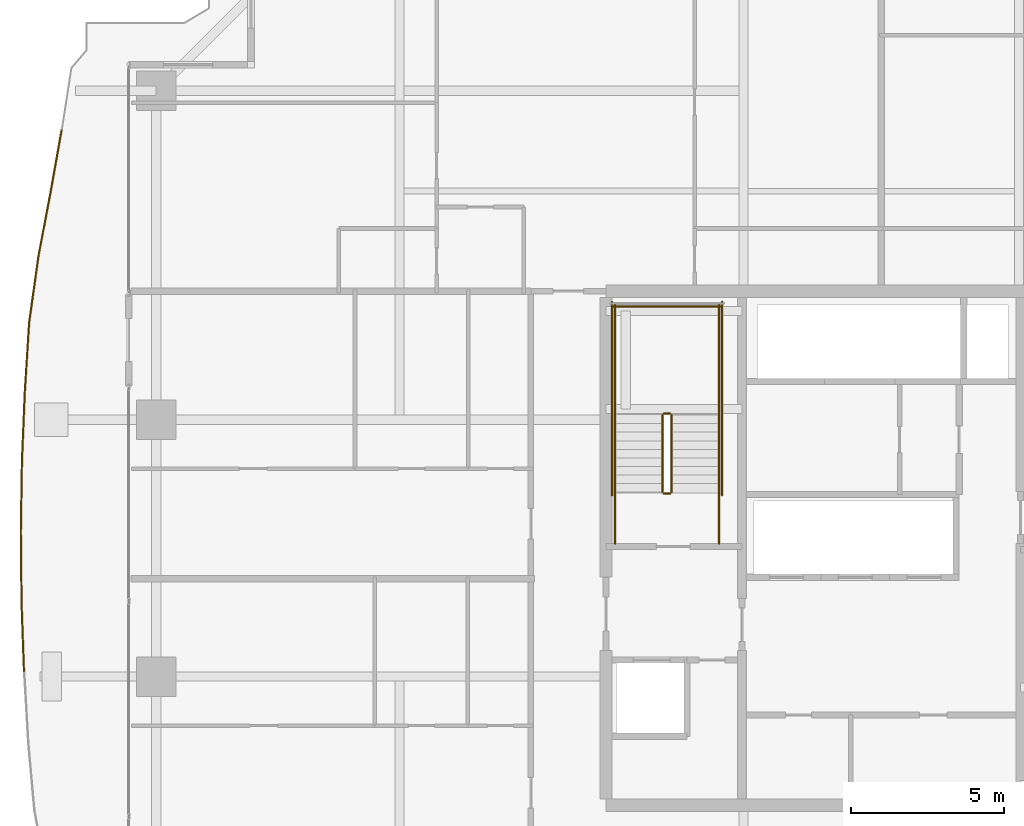
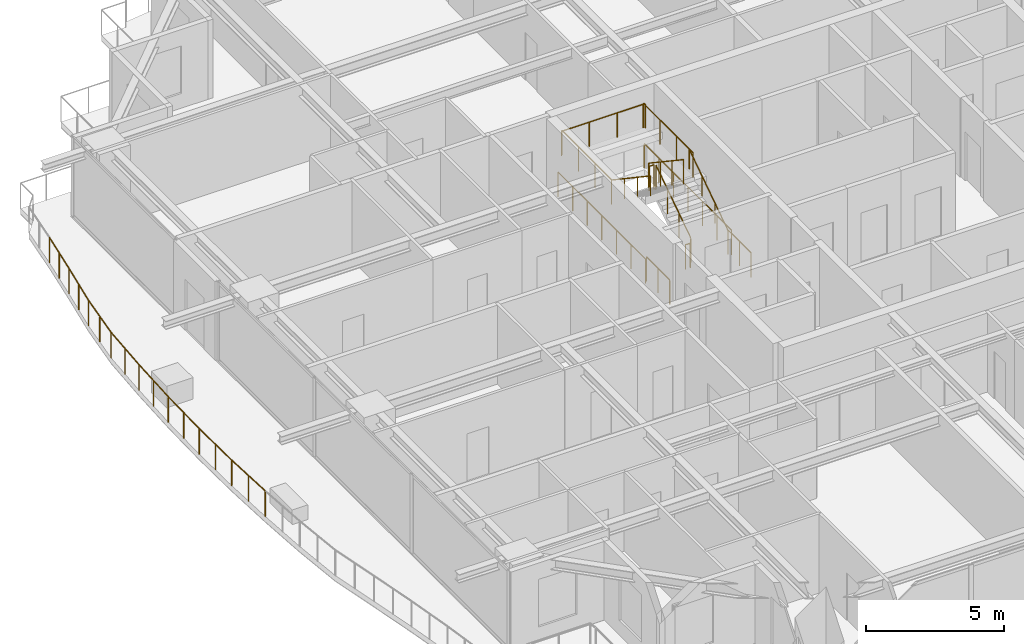
# One storey, part 35 of 39: 14 railings.
"""IFC4 building model written with IfcOpenShell, lengths in metres."""

from ifc_helpers import new_model, si_unit, direction, frame, origin, origin_2d, place, context, subcontext, project, spatial, circle, extrude, material, type_object, element, save


model = new_model("IFC4")

# Units and contexts
model_context = context("Model", 3, precision=1e-05, world=origin(), true_north=direction((0.0, 1.0)))
body_context = subcontext(model_context, "Body", "Model", "MODEL_VIEW")
ifc_project = project(units=[si_unit("LENGTHUNIT", "METRE"), si_unit("AREAUNIT", "SQUARE_METRE"), si_unit("VOLUMEUNIT", "CUBIC_METRE"), si_unit("PLANEANGLEUNIT", "RADIAN"), si_unit("MASSUNIT", "GRAM", prefix="KILO")], contexts=[model_context])

# Site, building, storey
site_placement = place(None, origin())
site = spatial("IfcSite", under=ifc_project, at=site_placement, CompositionType="ELEMENT")
building_placement = place(site_placement, origin())
building = spatial("IfcBuilding", under=site, at=building_placement, Name="Serunith Strait Residences", CompositionType="ELEMENT")
storey_placement = place(building_placement, frame((0.0, 0.0, 123.89990234375)))
storey = spatial("IfcBuildingStorey", under=building, at=storey_placement, Name="L30", CompositionType="ELEMENT", Elevation=123.89990234375)

# Railings
ifc_material_1 = material(Name="Stainless Steel & Laminated Glass Balustrade", Category="steel")
railing_type_1 = type_object("IfcRailingType", Name="RLG-BALC-1150", PredefinedType="BALUSTRADE", material=ifc_material_1)
railing_1_placement = place(storey_placement, frame((4.376708984375, 21.136962890625, -0.0498046875)))
element("IfcRailing", 1, at=railing_1_placement, inside=storey, type_object=railing_type_1, Name="L30 Swirling Balcony Perimeter Balustrade 2", PredefinedType="BALUSTRADE", context=body_context, shape_type="SweptSolid", body=[
    extrude(circle(Radius=0.02392578125, at=origin_2d()), frame((0.0, 0.001953125, 1.1259765625), z_axis=(-0.035444749736, 0.999371637438, 0.0), x_axis=(-0.999371637438, -0.035444749736, 0.0)), (0.0, 0.0, 1.0), 2.289794921875),
    extrude(circle(Radius=0.02392578125, at=origin_2d()), frame((-0.081298828125, 2.294189453125, 1.1259765625), z_axis=(-0.010064115772, 0.999949355504, 0.0), x_axis=(-0.999949355504, -0.010064115772, 0.0)), (0.0, 0.0, 1.0), 2.300537109375),
    extrude(circle(Radius=0.02392578125, at=origin_2d()), frame((-0.1044921875, 4.5986328125, 1.1259765625), z_axis=(0.016012370438, 0.999871793778, 0.0), x_axis=(-0.999871793778, 0.016012370438, 0.0)), (0.0, 0.0, 1.0), 2.29833984375),
    extrude(circle(Radius=0.02392578125, at=origin_2d()), frame((-0.067626953125, 6.900634765625, 1.1259765625), z_axis=(0.041088962232, 0.999155491994, 0.0), x_axis=(-0.999155491994, 0.041088962232, 0.0)), (0.0, 0.0, 1.0), 2.28369140625),
    extrude(circle(Radius=0.02392578125, at=origin_2d()), frame((0.026611328125, 9.186279296875, 1.1259765625), z_axis=(0.062593283777, 0.998039117884, 0.0), x_axis=(-0.998039117884, 0.062593283777, 0.0)), (0.0, 0.0, 1.0), 2.25830078125),
    extrude(circle(Radius=0.02392578125, at=origin_2d()), frame((0.168212890625, 11.444091796875, 1.1259765625), z_axis=(0.139135733302, 0.990273319704, 0.0), x_axis=(-0.990273319704, 0.139135733302, 0.0)), (0.0, 0.0, 1.0), 2.194580078125),
    extrude(circle(Radius=0.02392578125, at=origin_2d()), frame((0.474365234375, 13.621337890625, 1.1259765625), z_axis=(0.186035495468, 0.982543024211, 0.0), x_axis=(-0.982543024211, 0.186035495468, 0.0)), (0.0, 0.0, 1.0), 2.1220703125),
    extrude(circle(Radius=0.02392578125, at=origin_2d()), frame((0.86962890625, 15.710205078125, 1.1259765625), z_axis=(0.174779622771, 0.984607578411, 0.0), x_axis=(-0.984607578411, 0.174779622771, 0.0)), (0.0, 0.0, 1.0), 2.06884765625),
    extrude(circle(Radius=0.02099609375, at=origin_2d()), origin(), (0.0, 0.0, 1.0), 1.099853515625),
    extrude(circle(Radius=0.02099609375, at=origin_2d()), frame((-0.04052734375, 1.14599609375, 0.0)), (0.0, 0.0, 1.0), 1.099853515625),
    extrude(circle(Radius=0.02099609375, at=origin_2d()), frame((-0.081298828125, 2.292236328125, 0.0)), (0.0, 0.0, 1.0), 1.099853515625),
    extrude(circle(Radius=0.02099609375, at=origin_2d()), frame((-0.0927734375, 3.4443359375, 0.0)), (0.0, 0.0, 1.0), 1.099853515625),
    extrude(circle(Radius=0.02099609375, at=origin_2d()), frame((-0.1044921875, 4.5966796875, 0.0)), (0.0, 0.0, 1.0), 1.099853515625),
    extrude(circle(Radius=0.02099609375, at=origin_2d()), frame((-0.0859375, 5.74755859375, 0.0)), (0.0, 0.0, 1.0), 1.099853515625),
    extrude(circle(Radius=0.02099609375, at=origin_2d()), frame((-0.067626953125, 6.898681640625, 0.0)), (0.0, 0.0, 1.0), 1.099853515625),
    extrude(circle(Radius=0.02099609375, at=origin_2d()), frame((-0.0205078125, 8.04150390625, 0.0)), (0.0, 0.0, 1.0), 1.099853515625),
    extrude(circle(Radius=0.02099609375, at=origin_2d()), frame((0.0263671875, 9.184326171875, 0.0)), (0.0, 0.0, 1.0), 1.099853515625),
    extrude(circle(Radius=0.02099609375, at=origin_2d()), frame((0.09716796875, 10.313232421875, 0.0)), (0.0, 0.0, 1.0), 1.099853515625),
    extrude(circle(Radius=0.02099609375, at=origin_2d()), frame((0.16796875, 11.442138671875, 0.0)), (0.0, 0.0, 1.0), 1.099853515625),
    extrude(circle(Radius=0.02099609375, at=origin_2d()), frame((0.32080078125, 12.53076171875, 0.0)), (0.0, 0.0, 1.0), 1.099853515625),
    extrude(circle(Radius=0.02099609375, at=origin_2d()), frame((0.473876953125, 13.619384765625, 0.0)), (0.0, 0.0, 1.0), 1.099853515625),
    extrude(circle(Radius=0.02099609375, at=origin_2d()), frame((0.671630859375, 14.663818359375, 0.0)), (0.0, 0.0, 1.0), 1.099853515625),
    extrude(circle(Radius=0.02099609375, at=origin_2d()), frame((0.869384765625, 15.708251953125, 0.0)), (0.0, 0.0, 1.0), 1.099853515625),
    extrude(circle(Radius=0.02099609375, at=origin_2d()), frame((1.050537109375, 16.728759765625, 0.0)), (0.0, 0.0, 1.0), 1.099853515625),
    extrude(circle(Radius=0.02099609375, at=origin_2d()), frame((1.231689453125, 17.749267578125, 0.0)), (0.0, 0.0, 1.0), 1.099853515625),
])
ifc_material_2 = material(Name="Brushed stainless steel 316L", Category="steel")
railing_type_2 = type_object("IfcRailingType", Name="RLG-STAIR-GUARD", PredefinedType="BALUSTRADE", material=ifc_material_2)
railing_2_placement = place(storey_placement, frame((25.550048828125, 27.030029296875, 0.1875)))
element("IfcRailing", 2, at=railing_2_placement, inside=storey, type_object=railing_type_2, Name="L30 ST-1 stair guard 1", PredefinedType="BALUSTRADE", context=body_context, shape_type="SweptSolid", body=[
    extrude(circle(Radius=0.02392578125, at=origin_2d()), frame((0.0, 0.001708984375, 1.0771484375), z_axis=(0.0, 0.830909170722, 0.55640807867), x_axis=(-1.0, 0.0, 0.0)), (0.0, 0.0, 1.0), 3.02880859375),
    extrude(circle(Radius=0.02099609375, at=origin_2d()), origin(), (0.0, 0.0, 1.0), 1.050048828125),
    extrude(circle(Radius=0.02099609375, at=origin_2d()), frame((0.0, 0.840087890625, 0.5625)), (0.0, 0.0, 1.0), 1.050048828125),
    extrude(circle(Radius=0.02099609375, at=origin_2d()), frame((0.0, 1.679931640625, 1.125)), (0.0, 0.0, 1.0), 1.050048828125),
    extrude(circle(Radius=0.02099609375, at=origin_2d()), frame((0.0, 2.52001953125, 1.6875)), (0.0, 0.0, 1.0), 1.050048828125),
])
railing_3_placement = place(storey_placement, frame((25.5, 29.60009765625, 1.875)))
element("IfcRailing", 3, at=railing_3_placement, inside=storey, type_object=railing_type_2, Name="L30 ST-1 stair guard 2", PredefinedType="BALUSTRADE", context=body_context, shape_type="SweptSolid", body=[
    extrude(circle(Radius=0.02392578125, at=origin_2d()), frame((-0.001953125, 0.0, 1.076171875), z_axis=(-1.0, 0.0, 0.0), x_axis=(0.0, -1.0, 0.0)), (0.0, 0.0, 1.0), 0.196044921875),
    extrude(circle(Radius=0.02099609375, at=origin_2d()), origin(), (0.0, 0.0, 1.0), 1.050048828125),
    extrude(circle(Radius=0.02099609375, at=origin_2d()), frame((-0.199951171875, 0.0, 0.0)), (0.0, 0.0, 1.0), 1.050048828125),
])
for number, where, name in (
    (4, (27.10009765625, 29.550048828125, 1.875), "L30 ST-1 stair guard 3"),
    (5, (23.699951171875, 29.550048828125, 1.875), "L30 ST-1 stair guard 4"),
):
    element("IfcRailing", number, at=place(storey_placement, frame(where)), inside=storey, type_object=railing_type_2, Name=name, PredefinedType="BALUSTRADE", context=body_context, shape_type="SweptSolid", body=[
        extrude(circle(Radius=0.02392578125, at=origin_2d()), frame((0.0, 0.001953125, 1.076171875), z_axis=(0.0, 1.0, 0.0), x_axis=(-1.0, 0.0, 0.0)), (0.0, 0.0, 1.0), 3.595947265625),
        extrude(circle(Radius=0.02099609375, at=origin_2d()), origin(), (0.0, 0.0, 1.0), 1.050048828125),
        extrude(circle(Radius=0.02099609375, at=origin_2d()), frame((0.0, 1.199951171875, 0.0)), (0.0, 0.0, 1.0), 1.050048828125),
        extrude(circle(Radius=0.02099609375, at=origin_2d()), frame((0.0, 2.39990234375, 0.0)), (0.0, 0.0, 1.0), 1.050048828125),
        extrude(circle(Radius=0.02099609375, at=origin_2d()), frame((0.0, 3.599853515625, 0.0)), (0.0, 0.0, 1.0), 1.050048828125),
    ])
railing_4_placement = place(storey_placement, frame((27.14990234375, 33.10009765625, 1.875)))
element("IfcRailing", 6, at=railing_4_placement, inside=storey, type_object=railing_type_2, Name="L30 ST-1 stair guard 5", PredefinedType="BALUSTRADE", context=body_context, shape_type="SweptSolid", body=[
    extrude(circle(Radius=0.02392578125, at=origin_2d()), frame((-0.001953125, 0.0, 1.076171875), z_axis=(-1.0, 0.0, 0.0), x_axis=(0.0, -1.0, 0.0)), (0.0, 0.0, 1.0), 3.49609375),
    extrude(circle(Radius=0.02099609375, at=origin_2d()), origin(), (0.0, 0.0, 1.0), 1.050048828125),
    extrude(circle(Radius=0.02099609375, at=origin_2d()), frame((-1.166748046875, 0.0, 0.0)), (0.0, 0.0, 1.0), 1.050048828125),
    extrude(circle(Radius=0.02099609375, at=origin_2d()), frame((-2.333251953125, 0.0, 0.0)), (0.0, 0.0, 1.0), 1.050048828125),
    extrude(circle(Radius=0.02099609375, at=origin_2d()), frame((-3.5, 0.0, 0.0)), (0.0, 0.0, 1.0), 1.050048828125),
])
railing_5_placement = place(storey_placement, frame((25.25, 29.550048828125, 2.0625)))
element("IfcRailing", 7, at=railing_5_placement, inside=storey, type_object=railing_type_2, Name="L30 ST-1 stair guard 6", PredefinedType="BALUSTRADE", context=body_context, shape_type="SweptSolid", body=[
    extrude(circle(Radius=0.02392578125, at=origin_2d()), frame((0.0, -0.001708984375, 1.0771484375), z_axis=(0.0, -0.830909170722, 0.55640807867), x_axis=(1.0, 0.0, 0.0)), (0.0, 0.0, 1.0), 3.02880859375),
    extrude(circle(Radius=0.02099609375, at=origin_2d()), origin(), (0.0, 0.0, 1.0), 1.050048828125),
    extrude(circle(Radius=0.02099609375, at=origin_2d()), frame((0.0, -0.840087890625, 0.5625)), (0.0, 0.0, 1.0), 1.050048828125),
    extrude(circle(Radius=0.02099609375, at=origin_2d()), frame((0.0, -1.679931640625, 1.125)), (0.0, 0.0, 1.0), 1.050048828125),
    extrude(circle(Radius=0.02099609375, at=origin_2d()), frame((0.0, -2.52001953125, 1.6875)), (0.0, 0.0, 1.0), 1.050048828125),
])
railing_6_placement = place(storey_placement, frame((25.5, 26.97998046875, 0.0)))
element("IfcRailing", 8, at=railing_6_placement, inside=storey, type_object=railing_type_2, Name="L30 ST-1 stair guard 7", PredefinedType="BALUSTRADE", context=body_context, shape_type="SweptSolid", body=[
    extrude(circle(Radius=0.02392578125, at=origin_2d()), frame((-0.001953125, 0.0, 1.076171875), z_axis=(-1.0, 0.0, 0.0), x_axis=(0.0, -1.0, 0.0)), (0.0, 0.0, 1.0), 0.196044921875),
    extrude(circle(Radius=0.02099609375, at=origin_2d()), origin(), (0.0, 0.0, 1.0), 1.050048828125),
    extrude(circle(Radius=0.02099609375, at=origin_2d()), frame((-0.199951171875, 0.0, 0.0)), (0.0, 0.0, 1.0), 1.050048828125),
])
for number, where, name in (
    (9, (27.10009765625, 25.35009765625, 0.0), "L30 ST-1 stair guard 8"),
    (10, (23.699951171875, 25.35009765625, 0.0), "L30 ST-1 stair guard 9"),
):
    element("IfcRailing", number, at=place(storey_placement, frame(where)), inside=storey, type_object=railing_type_2, Name=name, PredefinedType="BALUSTRADE", context=body_context, shape_type="SweptSolid", body=[
        extrude(circle(Radius=0.02392578125, at=origin_2d()), frame((0.0, 0.001953125, 1.076171875), z_axis=(0.0, 1.0, 0.0), x_axis=(-1.0, 0.0, 0.0)), (0.0, 0.0, 1.0), 1.676025390625),
        extrude(circle(Radius=0.02099609375, at=origin_2d()), origin(), (0.0, 0.0, 1.0), 1.050048828125),
        extrude(circle(Radius=0.02099609375, at=origin_2d()), frame((0.0, 0.83984375, 0.0)), (0.0, 0.0, 1.0), 1.050048828125),
        extrude(circle(Radius=0.02099609375, at=origin_2d()), frame((0.0, 1.679931640625, 0.0)), (0.0, 0.0, 1.0), 1.050048828125),
    ])
for number, where, name in (
    (11, (27.199951171875, 26.929931640625, 0.0), "L30 ST-1 stair guard 10"),
    (12, (23.60009765625, 26.929931640625, 0.0), "L30 ST-1 stair guard 11"),
):
    element("IfcRailing", number, at=place(storey_placement, frame(where)), inside=storey, type_object=railing_type_2, Name=name, PredefinedType="BALUSTRADE", context=body_context, shape_type="SweptSolid", body=[
        extrude(circle(Radius=0.02392578125, at=origin_2d()), frame((0.0, 0.001953125, 1.076171875), z_axis=(0.0, 1.0, 0.0), x_axis=(-1.0, 0.0, 0.0)), (0.0, 0.0, 1.0), 6.316162109375),
        extrude(circle(Radius=0.02099609375, at=origin_2d()), origin(), (0.0, 0.0, 1.0), 1.050048828125),
        extrude(circle(Radius=0.02099609375, at=origin_2d()), frame((0.0, 1.05322265625, 0.0)), (0.0, 0.0, 1.0), 1.050048828125),
        extrude(circle(Radius=0.02099609375, at=origin_2d()), frame((0.0, 2.106689453125, 0.0)), (0.0, 0.0, 1.0), 1.050048828125),
        extrude(circle(Radius=0.02099609375, at=origin_2d()), frame((0.0, 3.16015625, 0.0)), (0.0, 0.0, 1.0), 1.050048828125),
        extrude(circle(Radius=0.02099609375, at=origin_2d()), frame((0.0, 4.21337890625, 0.0)), (0.0, 0.0, 1.0), 1.050048828125),
        extrude(circle(Radius=0.02099609375, at=origin_2d()), frame((0.0, 5.2666015625, 0.0)), (0.0, 0.0, 1.0), 1.050048828125),
        extrude(circle(Radius=0.02099609375, at=origin_2d()), frame((0.0, 6.320068359375, 0.0)), (0.0, 0.0, 1.0), 1.050048828125),
    ])
railing_type_3 = type_object("IfcRailingType", Name="RLG-STAIR-HR", PredefinedType="HANDRAIL", material=ifc_material_2)
railing_7_placement = place(storey_placement, frame((27.10009765625, 27.030029296875, 0.1875)))
element("IfcRailing", 13, at=railing_7_placement, inside=storey, type_object=railing_type_3, Name="L30 ST-1 stair handrail 1", PredefinedType="HANDRAIL", context=body_context, shape_type="SweptSolid", body=[
    extrude(circle(Radius=0.02392578125, at=origin_2d()), frame((0.0, 0.001708984375, 0.876953125), z_axis=(0.0, 0.830208209119, 0.557453432594), x_axis=(-1.0, 0.0, 0.0)), (0.0, 0.0, 1.0), 3.36865234375),
    extrude(circle(Radius=0.02099609375, at=origin_2d()), origin(), (0.0, 0.0, 1.0), 0.849853515625),
    extrude(circle(Radius=0.02099609375, at=origin_2d()), frame((0.0, 0.933349609375, 0.626708984375)), (0.0, 0.0, 1.0), 0.849853515625),
    extrude(circle(Radius=0.02099609375, at=origin_2d()), frame((0.0, 1.86669921875, 1.25341796875)), (0.0, 0.0, 1.0), 0.849853515625),
    extrude(circle(Radius=0.02099609375, at=origin_2d()), frame((0.0, 2.800048828125, 1.880126953125)), (0.0, 0.0, 1.0), 0.849853515625),
])
railing_8_placement = place(storey_placement, frame((23.699951171875, 29.550048828125, 2.0625)))
element("IfcRailing", 14, at=railing_8_placement, inside=storey, type_object=railing_type_3, Name="L30 ST-1 stair handrail 2", PredefinedType="HANDRAIL", context=body_context, shape_type="SweptSolid", body=[
    extrude(circle(Radius=0.02392578125, at=origin_2d()), frame((0.0, -0.001708984375, 0.876953125), z_axis=(0.0, -0.830208209119, 0.557453432594), x_axis=(1.0, 0.0, 0.0)), (0.0, 0.0, 1.0), 3.36865234375),
    extrude(circle(Radius=0.02099609375, at=origin_2d()), origin(), (0.0, 0.0, 1.0), 0.849853515625),
    extrude(circle(Radius=0.02099609375, at=origin_2d()), frame((0.0, -0.933349609375, 0.626708984375)), (0.0, 0.0, 1.0), 0.849853515625),
    extrude(circle(Radius=0.02099609375, at=origin_2d()), frame((0.0, -1.86669921875, 1.25341796875)), (0.0, 0.0, 1.0), 0.849853515625),
    extrude(circle(Radius=0.02099609375, at=origin_2d()), frame((0.0, -2.800048828125, 1.880126953125)), (0.0, 0.0, 1.0), 0.849853515625),
])

save(model, "model.ifc")
